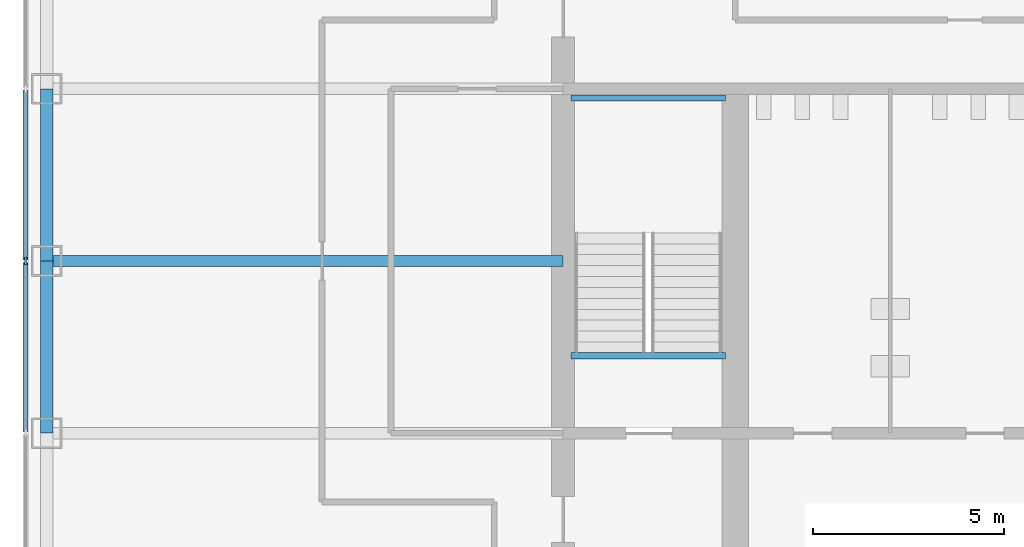
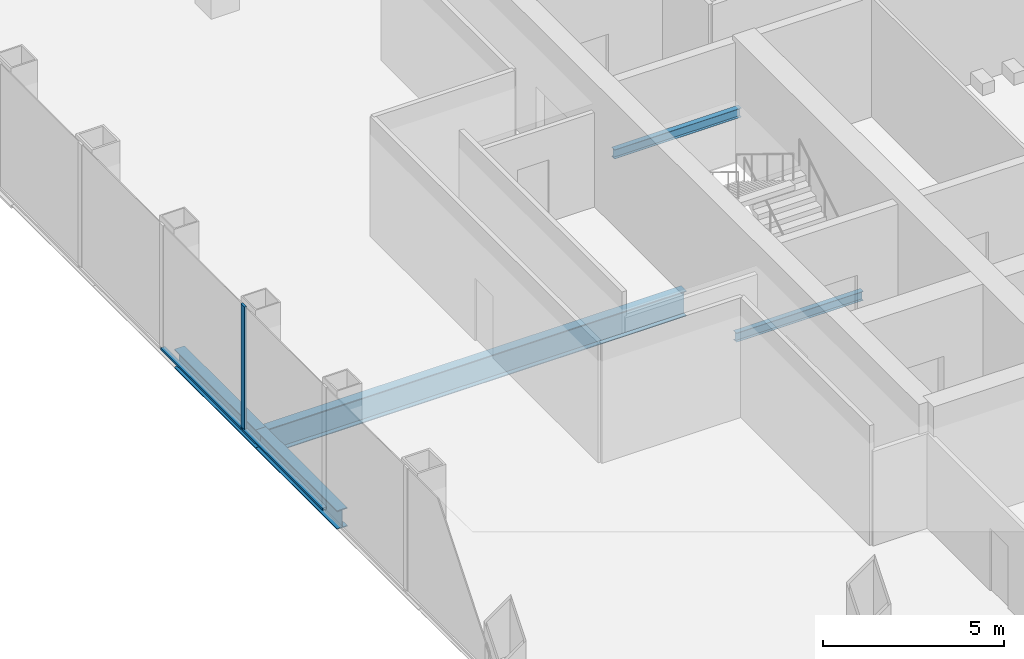
# One storey, part 3 of 13: 5 beams, 3 members, 1 element without a shape of its own.
"""IFC4 building model written with IfcOpenShell, lengths in metres."""

from ifc_helpers import new_model, si_unit, direction, frame, origin, origin_2d, place, context, subcontext, project, spatial, rectangle, i_section, extrude, material, material_profile, profile_set, type_object, element, aggregate, save


model = new_model("IFC4")

# Units and contexts
model_context = context("Model", 3, precision=1e-05, world=origin(), true_north=direction((0.0, 1.0)))
body_context = subcontext(model_context, "Body", "Model", "MODEL_VIEW")
ifc_project = project(units=[si_unit("LENGTHUNIT", "METRE"), si_unit("AREAUNIT", "SQUARE_METRE"), si_unit("VOLUMEUNIT", "CUBIC_METRE"), si_unit("PLANEANGLEUNIT", "RADIAN"), si_unit("MASSUNIT", "GRAM", prefix="KILO")], contexts=[model_context])

# Site, building, storey
site_placement = place(None, origin())
site = spatial("IfcSite", under=ifc_project, at=site_placement, CompositionType="ELEMENT")
building_placement = place(site_placement, origin())
building = spatial("IfcBuilding", under=site, at=building_placement, Name="Corais Broadcast Tower", CompositionType="ELEMENT")
storey_placement = place(building_placement, frame((0.0, 0.0, 79.39990234375)))
storey = spatial("IfcBuildingStorey", under=building, at=storey_placement, Name="L17", CompositionType="ELEMENT", Elevation=79.39990234375)

# Beams
ifc_material_1 = material(Name="Steel ASTM A572 Grade 50", Category="steel")
ifc_material_profile_1 = material_profile(ifc_material_1, i_section(OverallWidth=0.2939453125, OverallDepth=0.85107421875, WebThickness=0.01611328125, FlangeThickness=0.02685546875, at=origin_2d()), Name="W840x226")
ifc_profile_set_1 = profile_set([ifc_material_profile_1], Name="Steel ASTM A572 Grade 50")
beam_type_1 = type_object("IfcBeamType", Name="Floor beam W840x226", PredefinedType="BEAM", material=ifc_profile_set_1)
beam_placement = place(storey_placement, frame((0.0, 27.0, -0.58544921875), z_axis=(1.0, 0.0, 0.0), x_axis=(0.0, 1.0, 0.0)))
element("IfcBeam", 1, at=beam_placement, inside=storey, type_object=beam_type_1, Name="B1 G/3 to G/6", PredefinedType="BEAM", context=body_context, shape_type="SweptSolid", body=[
    extrude(i_section(OverallWidth=0.2939453125, OverallDepth=0.85107421875, WebThickness=0.01611328125, FlangeThickness=0.02685546875, at=origin_2d()), origin(), (0.0, 0.0, 1.0), 13.5),
])
ifc_material_2 = material(Name="Steel ASTM A572 Grade 50", Category="steel")
ifc_material_profile_2 = material_profile(ifc_material_2, i_section(OverallWidth=0.1650390625, OverallDepth=0.31005859375, WebThickness=0.005859375, FlangeThickness=0.009765625, at=origin_2d()), Name="W310x38.7")
ifc_profile_set_2 = profile_set([ifc_material_profile_2], Name="Steel ASTM A572 Grade 50")
beam_type_2 = type_object("IfcBeamType", Name="Landing trimmer W310x38.7", PredefinedType="BEAM", material=ifc_profile_set_2)
for number, where, z_axis, x_axis, name in (
    (2, (13.699951171875, 24.52490234375, -0.35498046875), (1.0, 0.0, 0.0), (0.0, 1.0, 0.0), "LT1 stair A landing trimmer L17"),
    (3, (13.699951171875, 31.260009765625, 1.7451171875), (1.0, 0.0, 0.0), (0.0, 1.0, 0.0), "LT1 stair A half landing trimmer L17"),
):
    element("IfcBeam", number, at=place(storey_placement, frame(where, z_axis=z_axis, x_axis=x_axis)), inside=storey, type_object=beam_type_2, Name=name, PredefinedType="BEAM", context=body_context, shape_type="SweptSolid", body=[
        extrude(i_section(OverallWidth=0.1650390625, OverallDepth=0.31005859375, WebThickness=0.005859375, FlangeThickness=0.009765625, at=origin_2d()), origin(), (0.0, 0.0, 1.0), 4.050048828125),
    ])

# Curtain wall, member
ifc_material_3 = material(Name="Aluminium and glass", Category="aluminium")
curtain_wall_type = type_object("IfcCurtainWallType", Name="Unitised fritted curtain wall CW1", PredefinedType="NOTDEFINED", material=ifc_material_3)
curtain_wall_placement = place(storey_placement, origin())
curtain_wall = element("IfcCurtainWall", 4, at=curtain_wall_placement, inside=storey, type_object=curtain_wall_type, Name="CW1 curtain wall L17 2", PredefinedType="NOTDEFINED")
ifc_material_4 = material(Name="Aluminium 6063-T6", Category="aluminium")
ifc_material_profile_3 = material_profile(ifc_material_4, rectangle(XDim=0.06494140625, YDim=0.199951171875, at=origin_2d()), Name="Mullion CW1 65x200")
ifc_profile_set_3 = profile_set([ifc_material_profile_3], Name="Aluminium 6063-T6")
member_type_1 = type_object("IfcMemberType", Name="Mullion CW1 65x200", PredefinedType="MULLION", material=ifc_profile_set_3)
member_1_placement = place(storey_placement, frame((-0.550048828125, 27.0, 0.0), z_axis=(0.0, 0.0, 1.0), x_axis=(-1.0, 0.0, 0.0)))
member_1 = element("IfcMember", 5, at=member_1_placement, type_object=member_type_1, Name="CW1 mullion 6", PredefinedType="MULLION", context=body_context, shape_type="SweptSolid", body=[
    extrude(rectangle(XDim=0.06494140625, YDim=0.199951171875, at=origin_2d()), origin(), (0.0, 0.0, 1.0), 4.2001953125),
])

# Beams
ifc_material_5 = material(Name="Steel ASTM A572 Grade 50", Category="steel")
ifc_material_profile_4 = material_profile(ifc_material_5, i_section(OverallWidth=0.3291015625, OverallDepth=0.635009765625, WebThickness=0.017822265625, FlangeThickness=0.031005859375, at=origin_2d()), Name="W610x241")
ifc_profile_set_4 = profile_set([ifc_material_profile_4], Name="Steel ASTM A572 Grade 50")
beam_type_3 = type_object("IfcBeamType", Name="Spandrel W610x241", PredefinedType="BEAM", material=ifc_profile_set_4)
for number, where, z_axis, x_axis, name in (
    (6, (0.0, 27.0, -0.477294921875), (0.0, -1.0, 0.0), (1.0, 0.0, 0.0), "SB1 G/3 to F/3"),
    (7, (0.0, 31.5, -0.477294921875), (0.0, -1.0, 0.0), (1.0, 0.0, 0.0), "SB1 H/3 to G/3"),
):
    element("IfcBeam", number, at=place(storey_placement, frame(where, z_axis=z_axis, x_axis=x_axis)), inside=storey, type_object=beam_type_3, Name=name, PredefinedType="BEAM", context=body_context, shape_type="SweptSolid", body=[
        extrude(i_section(OverallWidth=0.3291015625, OverallDepth=0.635009765625, WebThickness=0.017822265625, FlangeThickness=0.031005859375, at=origin_2d()), origin(), (0.0, 0.0, 1.0), 4.5),
    ])

# Member
ifc_material_6 = material(Name="Aluminium 6063-T6", Category="aluminium")
ifc_material_profile_5 = material_profile(ifc_material_6, rectangle(XDim=0.139892578125, YDim=0.06494140625, at=origin_2d()), Name="Transom CW1 65x140")
ifc_profile_set_5 = profile_set([ifc_material_profile_5], Name="Aluminium 6063-T6")
member_type_2 = type_object("IfcMemberType", Name="Transom CW1 65x140", PredefinedType="USERDEFINED", material=ifc_profile_set_5)
member_2_placement = place(storey_placement, frame((-0.550048828125, 22.532470703125, 0.03271484375), z_axis=(0.0, 1.0, 0.0), x_axis=(-1.0, 0.0, 0.0)))
member_2 = element("IfcMember", 8, at=member_2_placement, type_object=member_type_2, Name="CW1 transom 5.1", ObjectType="TRANSOM", PredefinedType="USERDEFINED", context=body_context, shape_type="SweptSolid", body=[
    extrude(rectangle(XDim=0.139892578125, YDim=0.06494140625, at=origin_2d()), origin(), (0.0, 0.0, 1.0), 4.43505859375),
])

member_3_placement = place(storey_placement, frame((-0.550048828125, 27.032470703125, 0.03271484375), z_axis=(0.0, 1.0, 0.0), x_axis=(-1.0, 0.0, 0.0)))
member_3 = element("IfcMember", 9, at=member_3_placement, type_object=member_type_2, Name="CW1 transom 6.1", ObjectType="TRANSOM", PredefinedType="USERDEFINED", context=body_context, shape_type="SweptSolid", body=[
    extrude(rectangle(XDim=0.139892578125, YDim=0.06494140625, at=origin_2d()), origin(), (0.0, 0.0, 1.0), 4.43505859375),
])

aggregate(curtain_wall, [member_1, member_2, member_3])

save(model, "model.ifc")
